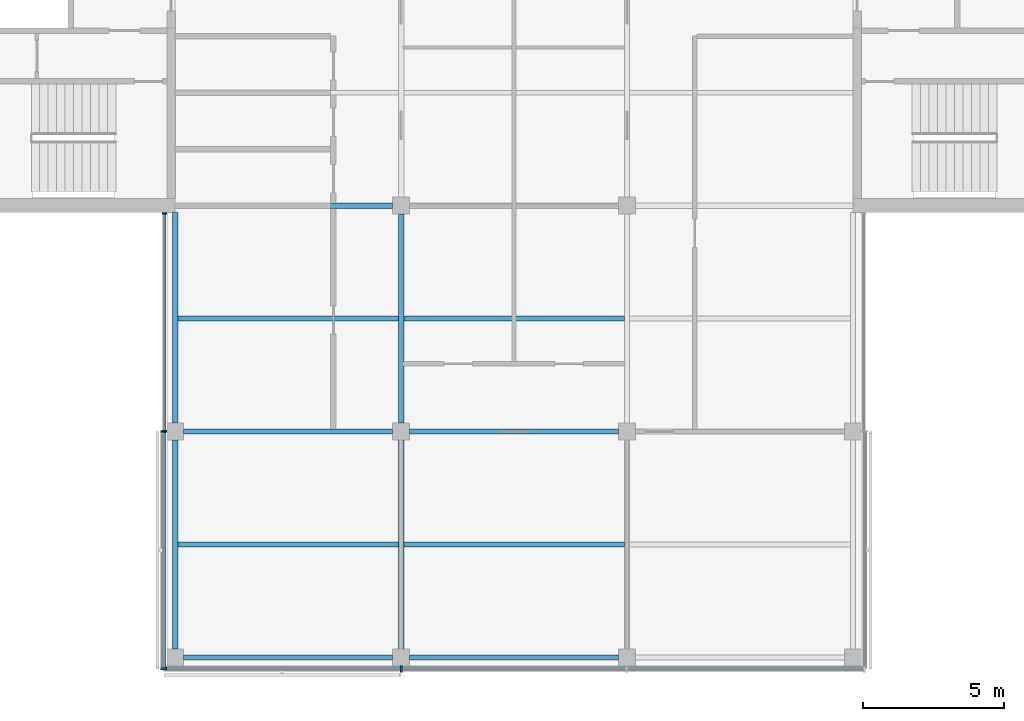
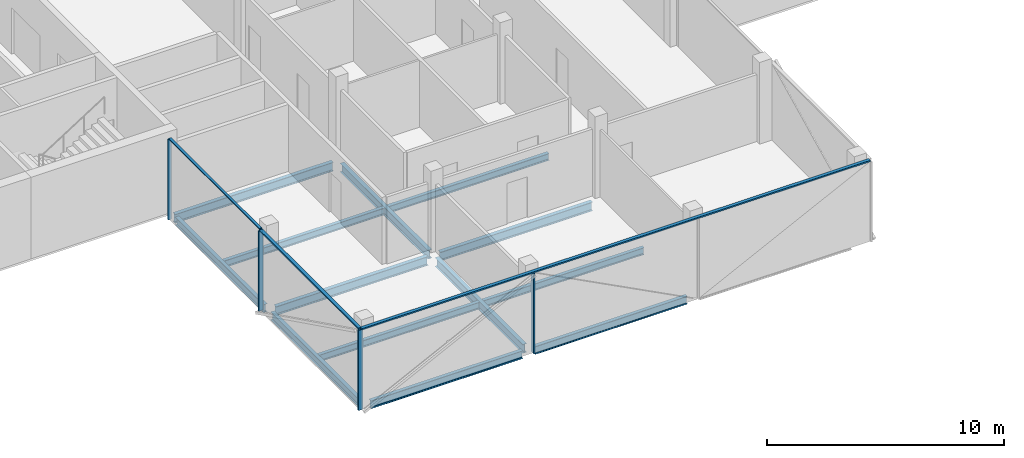
# One storey, part 2 of 16: 13 beams, 8 members, 3 elements without a shape of their own.
"""IFC4 building model written with IfcOpenShell, lengths in metres."""

from ifc_helpers import new_model, si_unit, direction, frame, origin, origin_2d, place, context, subcontext, project, spatial, rectangle, i_section, extrude, material, material_profile, profile_set, type_object, element, aggregate, save


model = new_model("IFC4")

# Units and contexts
model_context = context("Model", 3, precision=1e-05, world=origin(), true_north=direction((0.0, 1.0)))
body_context = subcontext(model_context, "Body", "Model", "MODEL_VIEW")
ifc_project = project(units=[si_unit("LENGTHUNIT", "METRE"), si_unit("AREAUNIT", "SQUARE_METRE"), si_unit("VOLUMEUNIT", "CUBIC_METRE"), si_unit("PLANEANGLEUNIT", "RADIAN"), si_unit("MASSUNIT", "GRAM", prefix="KILO")], contexts=[model_context])

# Site, building, storey
site_placement = place(None, origin())
site = spatial("IfcSite", under=ifc_project, at=site_placement, CompositionType="ELEMENT")
building_placement = place(site_placement, origin())
building = spatial("IfcBuilding", under=site, at=building_placement, Name="Crosswind Convention Tower", CompositionType="ELEMENT")
storey_placement = place(building_placement, frame((0.0, 0.0, 336.5)))
storey = spatial("IfcBuildingStorey", under=building, at=storey_placement, Name="L73", CompositionType="ELEMENT", Elevation=336.5)

# Beams
ifc_material_1 = material(Name="Steel S355", Category="steel")
ifc_material_profile_1 = material_profile(ifc_material_1, i_section(OverallWidth=0.177734375, OverallDepth=0.406494140625, WebThickness=0.0078125, FlangeThickness=0.0126953125, FilletRadius=0.01025390625, at=origin_2d()), Name="UB 406x178x60")
ifc_profile_set_1 = profile_set([ifc_material_profile_1], Name="Steel S355")
beam_type_1 = type_object("IfcBeamType", Name="Edge beam UB 406x178x60", PredefinedType="SPANDREL", material=ifc_profile_set_1)
beam_1_placement = place(storey_placement, frame((113.0, 72.300048828125, -0.503173828125), z_axis=(0.0, 1.0, 0.0), x_axis=(-1.0, 0.0, 0.0)))
element("IfcBeam", 1, at=beam_1_placement, inside=storey, type_object=beam_type_1, Name="B15 L73 edge beam 1", PredefinedType="SPANDREL", context=body_context, shape_type="SweptSolid", body=[
    extrude(i_section(OverallWidth=0.177734375, OverallDepth=0.406494140625, WebThickness=0.0078125, FlangeThickness=0.0126953125, FilletRadius=0.01025390625, at=origin_2d()), origin(), (0.0, 0.0, 1.0), 7.39990234375),
])
beam_2_placement = place(storey_placement, frame((113.0, 80.300048828125, -0.503173828125), z_axis=(0.0, 1.0, 0.0), x_axis=(-1.0, 0.0, 0.0)))
element("IfcBeam", 2, at=beam_2_placement, inside=storey, type_object=beam_type_1, Name="B15 L73 edge beam 2", PredefinedType="SPANDREL", context=body_context, shape_type="SweptSolid", body=[
    extrude(i_section(OverallWidth=0.177734375, OverallDepth=0.406494140625, WebThickness=0.0078125, FlangeThickness=0.0126953125, FilletRadius=0.01025390625, at=origin_2d()), origin(), (0.0, 0.0, 1.0), 7.449951171875),
])
for number, where, z_axis, x_axis, name in (
    (3, (113.300048828125, 72.0, -0.503173828125), (1.0, 0.0, 0.0), (0.0, 1.0, 0.0), "B15 L73 edge beam 5"),
    (4, (121.300048828125, 72.0, -0.503173828125), (1.0, 0.0, 0.0), (0.0, 1.0, 0.0), "B15 L73 edge beam 7"),
):
    element("IfcBeam", number, at=place(storey_placement, frame(where, z_axis=z_axis, x_axis=x_axis)), inside=storey, type_object=beam_type_1, Name=name, PredefinedType="SPANDREL", context=body_context, shape_type="SweptSolid", body=[
        extrude(i_section(OverallWidth=0.177734375, OverallDepth=0.406494140625, WebThickness=0.0078125, FlangeThickness=0.0126953125, FilletRadius=0.01025390625, at=origin_2d()), origin(), (0.0, 0.0, 1.0), 7.39990234375),
    ])
ifc_material_profile_2 = material_profile(ifc_material_1, i_section(OverallWidth=0.18994140625, OverallDepth=0.45361328125, WebThickness=0.008544921875, FlangeThickness=0.0126953125, FilletRadius=0.01025390625, at=origin_2d()), Name="UB 457x191x67")
ifc_profile_set_2 = profile_set([ifc_material_profile_2], Name="Steel S355")
beam_type_2 = type_object("IfcBeamType", Name="Girder UB 457x191x67", PredefinedType="BEAM", material=ifc_profile_set_2)
for number, where, z_axis, x_axis, name in (
    (5, (113.300048828125, 80.0, -0.52685546875), (1.0, 0.0, 0.0), (0.0, 1.0, 0.0), "B1 L73 girder 1"),
    (6, (121.0, 72.300048828125, -0.52685546875), (0.0, 1.0, 0.0), (-1.0, 0.0, 0.0), "B1 L73 girder 3"),
    (7, (121.0, 80.300048828125, -0.52685546875), (0.0, 1.0, 0.0), (-1.0, 0.0, 0.0), "B1 L73 girder 4"),
    (8, (121.300048828125, 80.0, -0.52685546875), (1.0, 0.0, 0.0), (0.0, 1.0, 0.0), "B1 L73 girder 10"),
):
    element("IfcBeam", number, at=place(storey_placement, frame(where, z_axis=z_axis, x_axis=x_axis)), inside=storey, type_object=beam_type_2, Name=name, PredefinedType="BEAM", context=body_context, shape_type="SweptSolid", body=[
        extrude(i_section(OverallWidth=0.18994140625, OverallDepth=0.45361328125, WebThickness=0.008544921875, FlangeThickness=0.0126953125, FilletRadius=0.01025390625, at=origin_2d()), origin(), (0.0, 0.0, 1.0), 7.39990234375),
    ])
ifc_material_profile_3 = material_profile(ifc_material_1, i_section(OverallWidth=0.1904296875, OverallDepth=0.457275390625, WebThickness=0.009033203125, FlangeThickness=0.014404296875, FilletRadius=0.01025390625, at=origin_2d()), Name="UB 457x191x75")
ifc_profile_set_3 = profile_set([ifc_material_profile_3], Name="Steel S355")
beam_type_3 = type_object("IfcBeamType", Name="Girder at core wall UB 457x191x75", PredefinedType="BEAM", material=ifc_profile_set_3)
beam_3_placement = place(storey_placement, frame((113.0, 88.0, -0.528564453125), z_axis=(1.0, 0.0, 0.0), x_axis=(0.0, 1.0, 0.0)))
element("IfcBeam", 9, at=beam_3_placement, inside=storey, type_object=beam_type_3, Name="B22 L73 girder at core wall 1", PredefinedType="BEAM", context=body_context, shape_type="SweptSolid", body=[
    extrude(i_section(OverallWidth=0.1904296875, OverallDepth=0.457275390625, WebThickness=0.009033203125, FlangeThickness=0.014404296875, FilletRadius=0.01025390625, at=origin_2d()), origin(), (0.0, 0.0, 1.0), 7.699951171875),
])

# Curtain wall, members
ifc_material_2 = material(Name="Aluminium unitised curtain wall", Category="aluminium")
curtain_wall_type_1 = type_object("IfcCurtainWallType", Name="CORE END SLOT WALL 160", PredefinedType="USERDEFINED", material=ifc_material_2)
curtain_wall_1_placement = place(storey_placement, origin())
curtain_wall_1 = element("IfcCurtainWall", 10, at=curtain_wall_1_placement, inside=storey, type_object=curtain_wall_type_1, Name="CW6 L73 S-W.1-1 slot", ObjectType="UNITISED", PredefinedType="USERDEFINED")
ifc_material_3 = material(Name="Aluminium mullion", Category="aluminium")
ifc_material_profile_4 = material_profile(ifc_material_3, rectangle(XDim=0.159912109375, YDim=0.050048828125, at=origin_2d()), Name="AL 160X50")
ifc_profile_set_4 = profile_set([ifc_material_profile_4], Name="Aluminium mullion")
member_type_1 = type_object("IfcMemberType", Name="MULLION 50X160", PredefinedType="MULLION", material=ifc_profile_set_4)
member_1_placement = place(storey_placement, frame((112.6201171875, 87.72509765625, -0.300048828125), z_axis=(0.0, 0.0, 1.0), x_axis=(-1.0, 0.0, 0.0)))
member_1 = element("IfcMember", 11, at=member_1_placement, type_object=member_type_1, Name="CW6 mullion 1", PredefinedType="MULLION", context=body_context, shape_type="SweptSolid", body=[
    extrude(rectangle(XDim=0.159912109375, YDim=0.050048828125, at=origin_2d()), origin(), (0.0, 0.0, 1.0), 4.150146484375),
])
member_2_placement = place(storey_placement, frame((112.6201171875, 80.02490234375, -0.300048828125), z_axis=(0.0, 0.0, 1.0), x_axis=(-1.0, 0.0, 0.0)))
member_2 = element("IfcMember", 12, at=member_2_placement, type_object=member_type_1, Name="CW6 mullion 2", PredefinedType="MULLION", context=body_context, shape_type="SweptSolid", body=[
    extrude(rectangle(XDim=0.159912109375, YDim=0.050048828125, at=origin_2d()), origin(), (0.0, 0.0, 1.0), 4.150146484375),
])

curtain_wall_type_2 = type_object("IfcCurtainWallType", Name="OFFICE UNITISED WALL 220", PredefinedType="USERDEFINED", material=ifc_material_2)
curtain_wall_2_placement = place(storey_placement, origin())
curtain_wall_2 = element("IfcCurtainWall", 13, at=curtain_wall_2_placement, inside=storey, type_object=curtain_wall_type_2, Name="CW3 L73 S-W 1", ObjectType="UNITISED", PredefinedType="USERDEFINED")
ifc_material_profile_5 = material_profile(ifc_material_3, rectangle(XDim=0.219970703125, YDim=0.070068359375, at=origin_2d()), Name="AL 220X70")
ifc_profile_set_5 = profile_set([ifc_material_profile_5], Name="Aluminium mullion")
member_type_2 = type_object("IfcMemberType", Name="MULLION 70X220", PredefinedType="MULLION", material=ifc_profile_set_5)
member_3_placement = place(storey_placement, frame((112.590087890625, 80.0, -0.300048828125), z_axis=(0.0, 0.0, 1.0), x_axis=(-1.0, 0.0, 0.0)))
member_3 = element("IfcMember", 14, at=member_3_placement, type_object=member_type_2, Name="CW3 mullion 1", PredefinedType="MULLION", context=body_context, shape_type="SweptSolid", body=[
    extrude(rectangle(XDim=0.219970703125, YDim=0.070068359375, at=origin_2d()), origin(), (0.0, 0.0, 1.0), 4.130126953125),
])
member_4_placement = place(storey_placement, frame((112.590087890625, 71.590087890625, -0.300048828125), z_axis=(0.0, 0.0, 1.0), x_axis=(-1.0, 0.0, 0.0)))
member_4 = element("IfcMember", 15, at=member_4_placement, type_object=member_type_2, Name="CW3 mullion 2", PredefinedType="MULLION", context=body_context, shape_type="SweptSolid", body=[
    extrude(rectangle(XDim=0.219970703125, YDim=0.070068359375, at=origin_2d()), origin(), (0.0, 0.0, 1.0), 4.130126953125),
])

# Curtain wall, member
curtain_wall_3_placement = place(storey_placement, origin())
curtain_wall_3 = element("IfcCurtainWall", 16, at=curtain_wall_3_placement, inside=storey, type_object=curtain_wall_type_2, Name="CW3 L73 S-TIP 1", ObjectType="UNITISED", PredefinedType="USERDEFINED")
member_5_placement = place(storey_placement, frame((121.0, 71.590087890625, -0.300048828125), z_axis=(0.0, 0.0, 1.0), x_axis=(0.0, -1.0, 0.0)))
member_5 = element("IfcMember", 17, at=member_5_placement, type_object=member_type_2, Name="CW3 mullion 2", PredefinedType="MULLION", context=body_context, shape_type="SweptSolid", body=[
    extrude(rectangle(XDim=0.219970703125, YDim=0.070068359375, at=origin_2d()), origin(), (0.0, 0.0, 1.0), 4.130126953125),
])

# Beams
ifc_material_profile_6 = material_profile(ifc_material_1, i_section(OverallWidth=0.17138671875, OverallDepth=0.355712890625, WebThickness=0.00732421875, FlangeThickness=0.011474609375, FilletRadius=0.01025390625, at=origin_2d()), Name="UB 356x171x51")
ifc_profile_set_6 = profile_set([ifc_material_profile_6], Name="Steel S355")
beam_type_4 = type_object("IfcBeamType", Name="Secondary beam UB 356x171x51", PredefinedType="JOIST", material=ifc_profile_set_6)
for number, where, z_axis, x_axis, name in (
    (18, (113.0888671875, 76.0, -0.477783203125), (1.0, 0.0, 0.0), (0.0, 1.0, 0.0), "B8 L73 secondary beam 4"),
    (19, (113.0888671875, 84.0, -0.477783203125), (1.0, 0.0, 0.0), (0.0, 1.0, 0.0), "B8 L73 secondary beam 5"),
):
    element("IfcBeam", number, at=place(storey_placement, frame(where, z_axis=z_axis, x_axis=x_axis)), inside=storey, type_object=beam_type_4, Name=name, PredefinedType="JOIST", context=body_context, shape_type="SweptSolid", body=[
        extrude(i_section(OverallWidth=0.17138671875, OverallDepth=0.355712890625, WebThickness=0.00732421875, FlangeThickness=0.011474609375, FilletRadius=0.01025390625, at=origin_2d()), origin(), (0.0, 0.0, 1.0), 7.816162109375),
    ])
for number, where, z_axis, x_axis, name in (
    (20, (121.094970703125, 76.0, -0.477783203125), (1.0, 0.0, 0.0), (0.0, 1.0, 0.0), "B8 L73 secondary beam 8"),
    (21, (121.094970703125, 84.0, -0.477783203125), (1.0, 0.0, 0.0), (0.0, 1.0, 0.0), "B8 L73 secondary beam 9"),
):
    element("IfcBeam", number, at=place(storey_placement, frame(where, z_axis=z_axis, x_axis=x_axis)), inside=storey, type_object=beam_type_4, Name=name, PredefinedType="JOIST", context=body_context, shape_type="SweptSolid", body=[
        extrude(i_section(OverallWidth=0.17138671875, OverallDepth=0.355712890625, WebThickness=0.00732421875, FlangeThickness=0.011474609375, FilletRadius=0.01025390625, at=origin_2d()), origin(), (0.0, 0.0, 1.0), 7.81005859375),
    ])

# Member
ifc_material_4 = material(Name="Aluminium transom", Category="aluminium")
ifc_material_profile_7 = material_profile(ifc_material_4, rectangle(XDim=0.1201171875, YDim=0.050048828125, at=origin_2d()), Name="AL 120X50")
ifc_profile_set_7 = profile_set([ifc_material_profile_7], Name="Aluminium transom")
member_type_3 = type_object("IfcMemberType", Name="TRANSOM 50X120", PredefinedType="USERDEFINED", material=ifc_profile_set_7)
member_6_placement = place(storey_placement, frame((112.6201171875, 87.699951171875, 3.875), z_axis=(0.0, -1.0, 0.0), x_axis=(1.0, 0.0, 0.0)))
member_6 = element("IfcMember", 22, at=member_6_placement, type_object=member_type_3, Name="CW6 transom", ObjectType="TRANSOM", PredefinedType="USERDEFINED", context=body_context, shape_type="SweptSolid", body=[
    extrude(rectangle(XDim=0.1201171875, YDim=0.050048828125, at=origin_2d()), origin(), (0.0, 0.0, 1.0), 7.64990234375),
])

aggregate(curtain_wall_1, [member_1, member_2, member_6])

ifc_material_profile_8 = material_profile(ifc_material_4, rectangle(XDim=0.159912109375, YDim=0.070068359375, at=origin_2d()), Name="AL 160X70")
ifc_profile_set_8 = profile_set([ifc_material_profile_8], Name="Aluminium transom")
member_type_4 = type_object("IfcMemberType", Name="TRANSOM 70X160", PredefinedType="USERDEFINED", material=ifc_profile_set_8)
member_7_placement = place(storey_placement, frame((112.590087890625, 79.965087890625, 3.864990234375), z_axis=(0.0, -1.0, 0.0), x_axis=(1.0, 0.0, 0.0)))
member_7 = element("IfcMember", 23, at=member_7_placement, type_object=member_type_4, Name="CW3 transom", ObjectType="TRANSOM", PredefinedType="USERDEFINED", context=body_context, shape_type="SweptSolid", body=[
    extrude(rectangle(XDim=0.159912109375, YDim=0.070068359375, at=origin_2d()), origin(), (0.0, 0.0, 1.0), 8.340087890625),
])

aggregate(curtain_wall_2, [member_3, member_4, member_7])

member_8_placement = place(storey_placement, frame((112.625, 71.590087890625, 3.864990234375), z_axis=(1.0, 0.0, 0.0), x_axis=(0.0, 1.0, 0.0)))
member_8 = element("IfcMember", 24, at=member_8_placement, type_object=member_type_4, Name="CW3 transom", ObjectType="TRANSOM", PredefinedType="USERDEFINED", context=body_context, shape_type="SweptSolid", body=[
    extrude(rectangle(XDim=0.159912109375, YDim=0.070068359375, at=origin_2d()), origin(), (0.0, 0.0, 1.0), 24.75),
])

aggregate(curtain_wall_3, [member_5, member_8])

save(model, "model.ifc")
